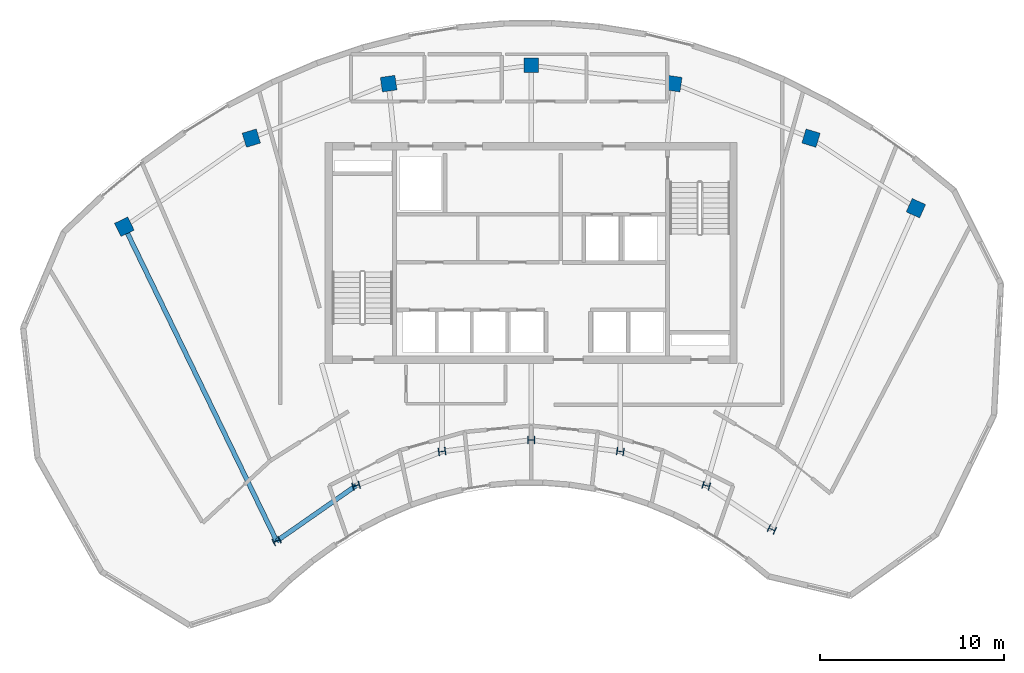
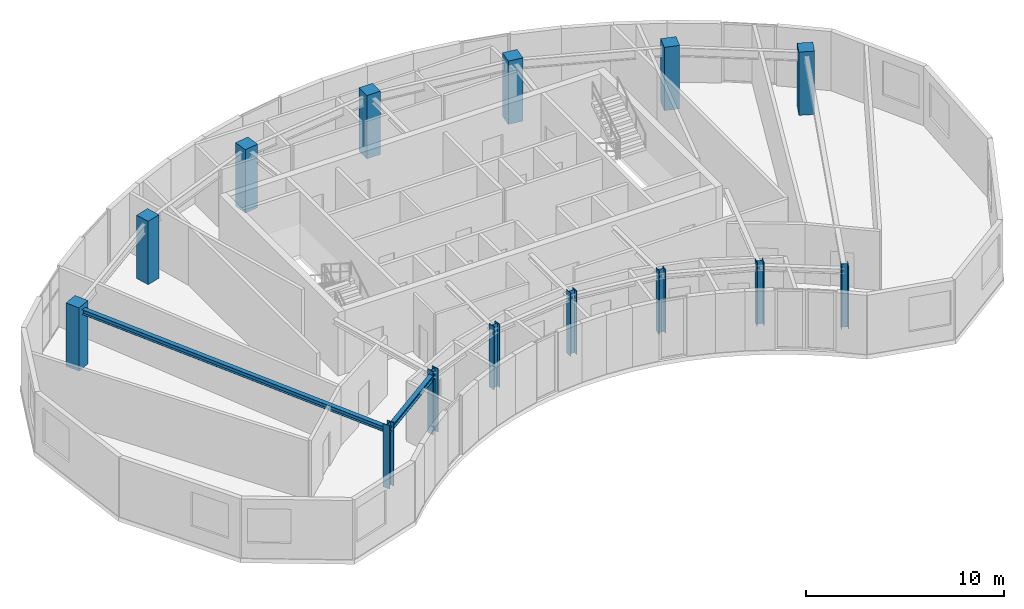
# One storey, part 1 of 9: 14 columns, 2 beams.
"""IFC4 building model written with IfcOpenShell, lengths in metres."""

from ifc_helpers import new_model, si_unit, direction, frame, origin, origin_2d, place, context, subcontext, project, spatial, rectangle, i_section, extrude, source, transform, mapped, material, material_profile, profile_set, type_object, type_shapes, element, save


model = new_model("IFC4")

# Units and contexts
model_context = context("Model", 3, precision=1e-05, world=origin(), true_north=direction((0.0, 1.0)))
body_context = subcontext(model_context, "Body", "Model", "MODEL_VIEW")
ifc_project = project(units=[si_unit("LENGTHUNIT", "METRE"), si_unit("AREAUNIT", "SQUARE_METRE"), si_unit("VOLUMEUNIT", "CUBIC_METRE"), si_unit("PLANEANGLEUNIT", "RADIAN"), si_unit("MASSUNIT", "GRAM", prefix="KILO")], contexts=[model_context])

# Site, building, storey
site_placement = place(None, origin())
site = spatial("IfcSite", under=ifc_project, at=site_placement, CompositionType="ELEMENT")
building_placement = place(site_placement, origin())
building = spatial("IfcBuilding", under=site, at=building_placement, Name="Breltana Convention Tower", CompositionType="ELEMENT")
storey_placement = place(building_placement, frame((0.0, 0.0, 283.5)))
storey = spatial("IfcBuildingStorey", under=building, at=storey_placement, Name="L69", CompositionType="ELEMENT", Elevation=283.5)

# Columns
ifc_material_1 = material(Name="Steel ASTM A992 Grade 50", Category="steel")
ifc_material_profile_1 = material_profile(ifc_material_1, i_section(OverallWidth=0.39892578125, OverallDepth=0.386962890625, WebThickness=0.02099609375, FlangeThickness=0.033203125, at=origin_2d()), Name="W14X176")
ifc_profile_set_1 = profile_set([ifc_material_profile_1], Name="Steel ASTM A992 Grade 50")
column_type_1 = type_object("IfcColumnType", Name="COL-STL-W14X176", PredefinedType="COLUMN", material=ifc_profile_set_1)
shared_shape_1 = source(origin(), body_context, "Body", "SweptSolid", [
    extrude(i_section(OverallWidth=0.39892578125, OverallDepth=0.386962890625, WebThickness=0.02099609375, FlangeThickness=0.033203125, at=origin_2d()), origin(), (0.0, 0.0, 1.0), 3.89990234375),
])
type_shapes(column_type_1, [shared_shape_1])
for number, where, z_axis, x_axis, name in (
    (1, (34.166259765625, 50.544921875, 0.0), (0.0, 0.0, 1.0), (-0.436173672171, 0.899862504889, 0.0), "L69 Tower Column R03-IN"),
    (2, (38.485107421875, 53.5576171875, 0.0), (0.0, 0.0, 1.0), (-0.288697611798, 0.957420330337, 0.0), "L69 Tower Column R04-IN"),
    (3, (43.153564453125, 55.41064453125, 0.0), (0.0, 0.0, 1.0), (-0.143492621991, 0.98965138682, 0.0), "L69 Tower Column R05-IN"),
    (4, (48.0, 56.035888671875, 0.0), (0.0, 0.0, 1.0), (0.0, 1.0, 0.0), "L69 Tower Column R06-IN"),
    (5, (52.846435546875, 55.41064453125, 0.0), (0.0, 0.0, 1.0), (0.143492621991, 0.98965138682, 0.0), "L69 Tower Column R07-IN"),
    (6, (57.514892578125, 53.5576171875, 0.0), (0.0, 0.0, 1.0), (0.288697611798, 0.957420330337, 0.0), "L69 Tower Column R08-IN"),
    (7, (61.08203125, 51.174560546875, 0.0), (0.0, 0.0, 1.0), (0.409126902895, 0.912477494148, 0.0), "L69 Tower Column R09-IN"),
):
    element("IfcColumn", number, at=place(storey_placement, frame(where, z_axis=z_axis, x_axis=x_axis)), inside=storey, type_object=column_type_1, Name=name, PredefinedType="COLUMN", context=body_context, shape_type="MappedRepresentation", body=[
        mapped(shared_shape_1, transform((0.0, 0.0, 0.0), scale=1.0)),
    ])
ifc_material_2 = material(Name="Concrete C50/60", Category="concrete")
ifc_material_profile_2 = material_profile(ifc_material_2, rectangle(XDim=0.800048828125, YDim=0.800048828125, at=origin_2d()), Name="RC-COL-800X800")
ifc_profile_set_2 = profile_set([ifc_material_profile_2], Name="Concrete C50/60")
column_type_2 = type_object("IfcColumnType", Name="COL-RC-800", PredefinedType="COLUMN", material=ifc_profile_set_2)
shared_shape_2 = source(origin(), body_context, "Body", "SweptSolid", [
    extrude(rectangle(XDim=0.800048828125, YDim=0.800048828125, at=origin_2d()), origin(), (0.0, 0.0, 1.0), 3.89990234375),
])
for number, where, z_axis, x_axis, name in (
    (8, (25.8876953125, 67.626953125, 0.0), (0.0, 0.0, 1.0), (-0.436173672171, 0.899862504889, 0.0), "L69 Tower Column R03-OUT"),
    (9, (32.791015625, 72.4423828125, 0.0), (0.0, 0.0, 1.0), (-0.288697611798, 0.957420330337, 0.0), "L69 Tower Column R04-OUT"),
    (10, (40.253173828125, 75.404296875, 0.0), (0.0, 0.0, 1.0), (-0.143492621991, 0.98965138682, 0.0), "L69 Tower Column R05-OUT"),
    (11, (48.0, 76.404052734375, 0.0), (0.0, 0.0, 1.0), (0.0, 1.0, 0.0), "L69 Tower Column R06-OUT"),
    (12, (55.746826171875, 75.404296875, 0.0), (0.0, 0.0, 1.0), (0.143492621991, 0.98965138682, 0.0), "L69 Tower Column R07-OUT"),
    (13, (63.208984375, 72.4423828125, 0.0), (0.0, 0.0, 1.0), (0.288697611798, 0.957420330337, 0.0), "L69 Tower Column R08-OUT"),
    (14, (68.910400390625, 68.63330078125, 0.0), (0.0, 0.0, 1.0), (0.409126902895, 0.912477494148, 0.0), "L69 Tower Column R09-OUT"),
):
    element("IfcColumn", number, at=place(storey_placement, frame(where, z_axis=z_axis, x_axis=x_axis)), inside=storey, type_object=column_type_2, Name=name, PredefinedType="COLUMN", context=body_context, shape_type="MappedRepresentation", body=[
        mapped(shared_shape_2, transform((0.0, 0.0, 0.0), scale=1.0)),
    ])

# Beams
ifc_material_profile_3 = material_profile(ifc_material_1, i_section(OverallWidth=0.25390625, OverallDepth=0.305908203125, WebThickness=0.0087890625, FlangeThickness=0.0146484375, at=origin_2d()), Name="W12X53")
ifc_profile_set_3 = profile_set([ifc_material_profile_3], Name="Steel ASTM A992 Grade 50")
beam_type = type_object("IfcBeamType", Name="BM-CN-W12X53", PredefinedType="BEAM", material=ifc_profile_set_3)
shared_shape_3 = source(origin(), body_context, "Body", "SweptSolid", [
    extrude(i_section(OverallWidth=0.25390625, OverallDepth=0.305908203125, WebThickness=0.0087890625, FlangeThickness=0.0146484375, at=origin_2d()), origin(), (0.0, 0.0, 1.0), 18.982421875),
])
beam_1_placement = place(storey_placement, frame((34.166259765625, 50.544921875, 3.487060546875), z_axis=(-0.436118560343, 0.89988921614, 0.0), x_axis=(-0.89988921614, -0.436118560343, 0.0)))
element("IfcBeam", 15, at=beam_1_placement, inside=storey, type_object=beam_type, Name="L69 Radial Floor Girder R03", PredefinedType="BEAM", context=body_context, shape_type="MappedRepresentation", body=[
    mapped(shared_shape_3, transform((0.0, 0.0, 0.0), scale=1.0)),
])
shared_shape_4 = source(origin(), body_context, "Body", "SweptSolid", [
    extrude(i_section(OverallWidth=0.25390625, OverallDepth=0.305908203125, WebThickness=0.0087890625, FlangeThickness=0.0146484375, at=origin_2d()), origin(), (0.0, 0.0, 1.0), 5.265869140625),
])
beam_2_placement = place(storey_placement, frame((34.166259765625, 50.544921875, 3.487060546875), z_axis=(0.820167429517, 0.572123577176, 0.0), x_axis=(-0.572123577176, 0.820167429517, 0.0)))
element("IfcBeam", 16, at=beam_2_placement, inside=storey, type_object=beam_type, Name="L69 Inner Ring Beam 03", PredefinedType="BEAM", context=body_context, shape_type="MappedRepresentation", body=[
    mapped(shared_shape_4, transform((0.0, 0.0, 0.0), scale=1.0)),
])

save(model, "model.ifc")
